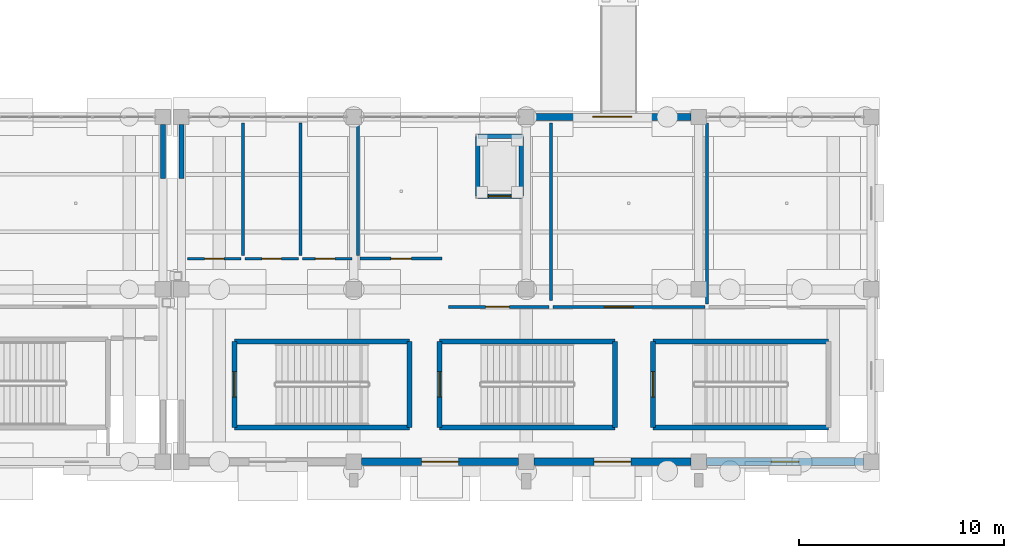
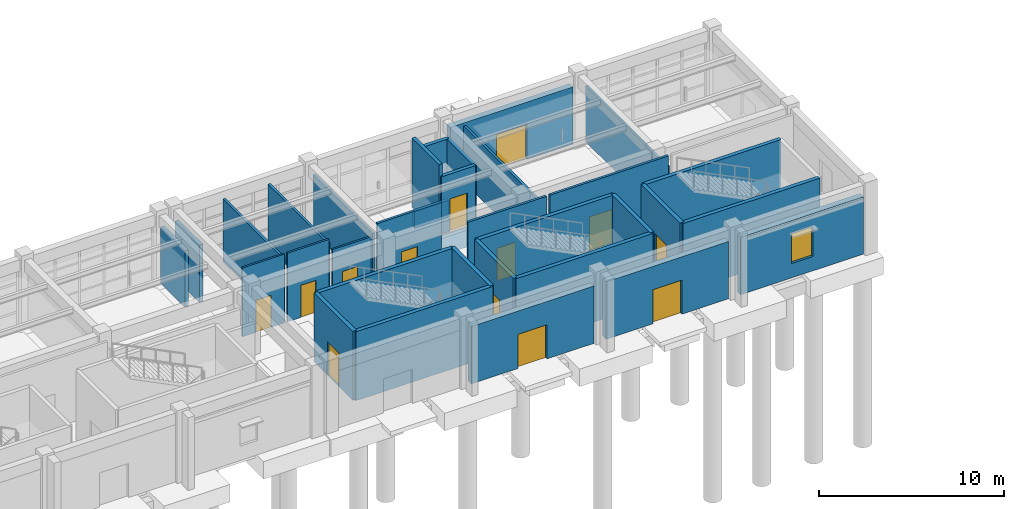
# One storey, part 18 of 29: 34 walls, 13 doors, 1 window, 14 openings.
"""IFC4 building model written with IfcOpenShell, lengths in metres."""

import ifcopenshell
import ifcopenshell.guid

model = None  # the IFC model being written
_history = None  # IfcOwnerHistory: only IFC2X3 demands one
_inside = {}  # id of a spatial element -> (the spatial element, [elements in it])
_under = {}  # id of a project, library or spatial element -> (it, [spatial elements below it])
_declared = {}  # id of a project -> (the project, [libraries it declares])
_typed = {}  # id of a type object -> (the type object, [elements of that type])
_made_of = {}  # id of a material, layer set ... -> (it, [elements and type objects made of it])


def new_model(schema):
    """Start an empty IFC model of exactly this schema.

    Asked for "IFC4X3", IfcOpenShell would pick the latest addendum, in which some entities
    have other attributes; the version numbers below select the first issue.
    IFC2X3 requires an IfcOwnerHistory on every rooted entity: one is made here for all.
    """
    global model, _history
    if schema == "IFC4X3":
        model = ifcopenshell.file(schema_version=(4, 3, 0, 0))
    else:
        model = ifcopenshell.file(schema=schema)
    _inside.clear()
    _under.clear()
    _declared.clear()
    _typed.clear()
    _made_of.clear()
    _history = None
    if model.schema == "IFC2X3":
        org = make("IfcOrganization", Name="unknown")
        user = make(
            "IfcPersonAndOrganization",
            ThePerson=make("IfcPerson", FamilyName="unknown"),
            TheOrganization=org,
        )
        app = make(
            "IfcApplication",
            ApplicationDeveloper=org,
            Version="unknown",
            ApplicationFullName="unknown",
            ApplicationIdentifier="unknown",
        )
        _history = make(
            "IfcOwnerHistory",
            OwningUser=user,
            OwningApplication=app,
            ChangeAction="ADDED",
            CreationDate=0,
        )
    return model


def make(cls, **values):
    """One entity of the class cls with the attributes given. An attribute that is None is left unset."""
    return model.create_entity(
        cls, **{name: value for name, value in values.items() if value is not None}
    )


def rooted(cls, **values):
    """An entity with a GlobalId (a new one), such as an element, a storey or a relation."""
    return make(cls, GlobalId=ifcopenshell.guid.new(), OwnerHistory=_history, **values)


def si_unit(unit_type, name, prefix=None):
    """IfcSIUnit, for example si_unit("LENGTHUNIT", "METRE", prefix="MILLI")."""
    return make("IfcSIUnit", UnitType=unit_type, Prefix=prefix, Name=name)


def assignment(units):
    """IfcUnitAssignment: the units of a project."""
    return None if units is None else make("IfcUnitAssignment", Units=units)


def point(xyz):
    """IfcCartesianPoint."""
    return None if xyz is None else make("IfcCartesianPoint", Coordinates=xyz)


def direction(xyz):
    """IfcDirection."""
    return None if xyz is None else make("IfcDirection", DirectionRatios=xyz)


def frame(location, z_axis=None, x_axis=None):
    """IfcAxis2Placement3D, a coordinate frame: its origin and axes. An axis left out is left unset."""
    return make(
        "IfcAxis2Placement3D",
        Location=point(location),
        Axis=direction(z_axis),
        RefDirection=direction(x_axis),
    )


def frame_2d(location, x_axis=None):
    """IfcAxis2Placement2D, a coordinate frame in the plane: its origin and x axis."""
    return make(
        "IfcAxis2Placement2D", Location=point(location), RefDirection=direction(x_axis)
    )


def origin():
    """The frame at (0, 0, 0) with its axes left unset."""
    return frame((0.0, 0.0, 0.0))


def place(relative_to, where):
    """IfcLocalPlacement: puts the frame where relative to a parent placement (None: the world)."""
    return make(
        "IfcLocalPlacement", PlacementRelTo=relative_to, RelativePlacement=where
    )


def context(
    kind, dimensions, precision=None, world=None, true_north=None, identifier=None
):
    """IfcGeometricRepresentationContext, for example the 3D "Model" context."""
    return make(
        "IfcGeometricRepresentationContext",
        ContextIdentifier=identifier,
        ContextType=kind,
        CoordinateSpaceDimension=dimensions,
        Precision=precision,
        WorldCoordinateSystem=world,
        TrueNorth=true_north,
    )


def subcontext(parent, identifier, kind, view, scale=None):
    """IfcGeometricRepresentationSubContext, for example "Body" below "Model"."""
    return make(
        "IfcGeometricRepresentationSubContext",
        ContextIdentifier=identifier,
        ContextType=kind,
        ParentContext=parent,
        TargetScale=scale,
        TargetView=view,
    )


def project(units=None, contexts=None):
    """IfcProject with its units and contexts."""
    return rooted(
        "IfcProject",
        Name="project",
        RepresentationContexts=contexts,
        UnitsInContext=assignment(units),
    )


def spatial(cls, under=None, at=None, **own):
    """A site, building, storey or space (cls), placed at a placement, below another one or the project."""
    s = rooted(cls, ObjectPlacement=at, **own)
    if under is not None:
        _under.setdefault(under.id(), (under, []))[1].append(s)
    return s


def profile(cls, at=None, kind="AREA", **sizes):
    """A parametric profile (cls). Its sizes go by their IFC names, for example OverallWidth=200.0."""
    return make(cls, ProfileType=kind, Position=at, **sizes)


def rectangle(**sizes):
    """IfcRectangleProfileDef."""
    return profile("IfcRectangleProfileDef", **sizes)


def extrude(swept, where, along, depth):
    """IfcExtrudedAreaSolid: the profile swept, set in the frame where, extruded along a direction by depth."""
    return make(
        "IfcExtrudedAreaSolid",
        SweptArea=swept,
        Position=where,
        ExtrudedDirection=direction(along),
        Depth=depth,
    )


def shape(context_of_items, identifier, shape_type, items):
    """IfcShapeRepresentation: the items that make up one representation, for example the "Body"."""
    return make(
        "IfcShapeRepresentation",
        ContextOfItems=context_of_items,
        RepresentationIdentifier=identifier,
        RepresentationType=shape_type,
        Items=items,
    )


def material(Name=None, Category=None):
    """IfcMaterial."""
    return make("IfcMaterial", Name=Name, Category=Category)


def layer(
    of_material, thickness, ventilated=None, Name=None, Category=None, Priority=None
):
    """IfcMaterialLayer: one layer of a wall or slab, of a material (None: an air gap)."""
    return make(
        "IfcMaterialLayer",
        Material=of_material,
        LayerThickness=thickness,
        IsVentilated=ventilated,
        Name=Name,
        Category=Category,
        Priority=Priority,
    )


def layer_set(layers, Name=None):
    """IfcMaterialLayerSet."""
    return make("IfcMaterialLayerSet", MaterialLayers=layers, LayerSetName=Name)


def made_of(thing, what):
    """Note that an element or type object is made of a material, layer set ...; save() writes the relation."""
    if what is not None:
        _made_of.setdefault(what.id(), (what, []))[1].append(thing)
    return thing


def type_object(cls, material=None, **own):
    """A type object (cls), such as IfcWallType, which elements share."""
    return made_of(rooted(cls, **own), material)


def element(
    cls,
    number,
    at=None,
    inside=None,
    cuts=None,
    type_object=None,
    material=None,
    context=None,
    identifier="Body",
    shape_type=None,
    held_by="IfcProductDefinitionShape",
    body=None,
    shapes=None,
    **own,
):
    """One element of the class cls, such as IfcWall. Its Tag is "e" and its number.

    at: its placement. inside: the storey or other place that contains it. cuts: it is an
    opening in that element (IfcRelVoidsElement). A single representation is given by context,
    identifier, shape_type and body (its items); several are given by shapes. held_by: the class
    of the entity that holds the representations. save() writes the other relations.
    """
    e = rooted(cls, Tag="e%d" % number, ObjectPlacement=at, **own)
    if body is not None:
        shapes = [shape(context, identifier, shape_type, body)]
    if shapes is not None:
        e.Representation = make(held_by, Representations=shapes)
    if inside is not None:
        _inside.setdefault(inside.id(), (inside, []))[1].append(e)
    if cuts is not None:
        rooted(
            "IfcRelVoidsElement", RelatingBuildingElement=cuts, RelatedOpeningElement=e
        )
    if type_object is not None:
        _typed.setdefault(type_object.id(), (type_object, []))[1].append(e)
    return made_of(e, material)


def fill(opening, filler):
    """IfcRelFillsElement: the door or window that sits in an opening."""
    return rooted(
        "IfcRelFillsElement",
        RelatingOpeningElement=opening,
        RelatedBuildingElement=filler,
    )


def aggregate(whole, parts):
    """IfcRelAggregates: a whole, such as a stair, and the parts it consists of."""
    return rooted("IfcRelAggregates", RelatingObject=whole, RelatedObjects=parts)


def save(model, path):
    """Write the relations noted so far, then the file.

    IfcRelAggregates (storeys below a building ...), IfcRelContainedInSpatialStructure (elements
    in a storey), IfcRelDefinesByType, IfcRelAssociatesMaterial and IfcRelDeclares: one each for
    every whole, place, type object, material and project.
    """
    for whole, parts in _under.values():
        aggregate(whole, parts)
    for where, things in _inside.values():
        rooted(
            "IfcRelContainedInSpatialStructure",
            RelatedElements=things,
            RelatingStructure=where,
        )
    for kind, things in _typed.values():
        rooted("IfcRelDefinesByType", RelatedObjects=things, RelatingType=kind)
    for what, things in _made_of.values():
        rooted("IfcRelAssociatesMaterial", RelatedObjects=things, RelatingMaterial=what)
    for by, libraries in _declared.values():
        rooted("IfcRelDeclares", RelatingContext=by, RelatedDefinitions=libraries)
    model.write(path)


model = new_model("IFC4")

# Units and contexts
model_context = context("Model", 3, precision=1e-05, world=origin(), true_north=direction((0.0, 1.0)))
body_context = subcontext(model_context, "Body", "Model", "MODEL_VIEW")
ifc_project = project(units=[si_unit("LENGTHUNIT", "METRE"), si_unit("AREAUNIT", "SQUARE_METRE"), si_unit("VOLUMEUNIT", "CUBIC_METRE"), si_unit("PLANEANGLEUNIT", "RADIAN"), si_unit("MASSUNIT", "GRAM", prefix="KILO")], contexts=[model_context])

# Site, building, storey
site_placement = place(None, origin())
site = spatial("IfcSite", under=ifc_project, at=site_placement, CompositionType="ELEMENT")
building_placement = place(site_placement, origin())
building = spatial("IfcBuilding", under=site, at=building_placement, Name="Canglan Escarpment Cableway Terminal", CompositionType="ELEMENT")
storey_placement = place(building_placement, origin())
storey = spatial("IfcBuildingStorey", under=building, at=storey_placement, Name="L00", CompositionType="ELEMENT", Elevation=0.0)

# Walls
ifc_material_1 = material(Name="Concrete C40", Category="concrete")
ifc_layer_1 = layer(ifc_material_1, 0.239990234375, Name="Concrete C40")
ifc_layer_set_1 = layer_set([ifc_layer_1], Name="Concrete C40")
wall_type_1 = type_object("IfcWallType", Name="WL-CORE-SHEAR-240", PredefinedType="SHEAR", material=ifc_layer_set_1)
wall_1_placement = place(storey_placement, frame((45.080078125, 9.679931640625, 0.0), z_axis=(0.0, 0.0, 1.0), x_axis=(1.0, 0.0, 0.0)))
element("IfcWall", 1, at=wall_1_placement, inside=storey, type_object=wall_type_1, Name="Protected stair core wall ST-03 (L00)", PredefinedType="SHEAR", context=body_context, shape_type="SweptSolid", body=[
    extrude(rectangle(XDim=8.5400390625, YDim=0.239990234375, at=frame_2d((4.27001953125, 0.0))), origin(), (0.0, 0.0, 1.0), 4.550048828125),
])
wall_2_placement = place(storey_placement, frame((53.6201171875, 9.679931640625, 0.0), z_axis=(0.0, 0.0, 1.0), x_axis=(0.0, 1.0, 0.0)))
element("IfcWall", 2, at=wall_2_placement, inside=storey, type_object=wall_type_1, Name="Protected stair core wall ST-03 (L00)", PredefinedType="SHEAR", context=body_context, shape_type="SweptSolid", body=[
    extrude(rectangle(XDim=4.190185546875, YDim=0.239990234375, at=frame_2d((2.09521484375, 0.0))), origin(), (0.0, 0.0, 1.0), 4.550048828125),
])
wall_3_placement = place(storey_placement, frame((53.6201171875, 13.8701171875, 0.0), z_axis=(0.0, 0.0, 1.0), x_axis=(-1.0, 0.0, 0.0)))
element("IfcWall", 3, at=wall_3_placement, inside=storey, type_object=wall_type_1, Name="Protected stair core wall ST-03 (L00)", PredefinedType="SHEAR", context=body_context, shape_type="SweptSolid", body=[
    extrude(rectangle(XDim=8.5400390625, YDim=0.239990234375, at=frame_2d((4.27001953125, 0.0))), origin(), (0.0, 0.0, 1.0), 4.550048828125),
])

# Wall, opening, door
wall_4_placement = place(storey_placement, frame((45.080078125, 13.8701171875, 0.0), z_axis=(0.0, 0.0, 1.0), x_axis=(0.0, -1.0, 0.0)))
wall_4 = element("IfcWall", 4, at=wall_4_placement, inside=storey, type_object=wall_type_1, Name="Protected stair core wall ST-03 (L00)", PredefinedType="SHEAR", context=body_context, shape_type="SweptSolid", body=[
    extrude(rectangle(XDim=4.190185546875, YDim=0.239990234375, at=frame_2d((2.09521484375, 0.0))), origin(), (0.0, 0.0, 1.0), 4.550048828125),
])
opening_1_placement = place(wall_4_placement, frame((1.469970703125, 0.0, 0.0)))
opening_1 = element("IfcOpeningElement", 5, at=opening_1_placement, cuts=wall_4, Name="Opening SD-D1", PredefinedType="OPENING", context=body_context, shape_type="SweptSolid", body=[
    extrude(rectangle(XDim=1.25, YDim=2.199951171875, at=frame_2d((0.625, 1.10009765625))), frame((0.0, 0.1298828125, 0.0), z_axis=(0.0, -1.0, 0.0), x_axis=(1.0, 0.0, 0.0)), (0.0, 0.0, 1.0), 0.260009765625),
])
ifc_material_2 = material(Name="Steel fire-resisting stair door", Category="steel")
door_type_1 = type_object("IfcDoorType", Name="DR-STAIR-EI90-1250", OperationType="NOTDEFINED", PredefinedType="DOOR", material=ifc_material_2)
door_1_placement = place(opening_1_placement, origin())
door_1 = element("IfcDoor", 6, at=door_1_placement, inside=storey, type_object=door_type_1, Name="Protected exit stair fire door ST-03 (L00)", OperationType="SINGLE_SWING_RIGHT", OverallHeight=2.199951171875, OverallWidth=1.25, PredefinedType="DOOR", context=body_context, shape_type="SweptSolid", body=[
    extrude(rectangle(XDim=1.25, YDim=2.199951171875, at=frame_2d((0.625, 1.10009765625))), frame((0.0, 0.02490234375, 0.0), z_axis=(0.0, -1.0, 0.0), x_axis=(1.0, 0.0, 0.0)), (0.0, 0.0, 1.0), 0.050048828125),
])
fill(opening_1, door_1)

# Walls
wall_5_placement = place(storey_placement, frame((55.080078125, 9.679931640625, 0.0), z_axis=(0.0, 0.0, 1.0), x_axis=(1.0, 0.0, 0.0)))
element("IfcWall", 7, at=wall_5_placement, inside=storey, type_object=wall_type_1, Name="Protected stair core wall ST-04 (L00)", PredefinedType="SHEAR", context=body_context, shape_type="SweptSolid", body=[
    extrude(rectangle(XDim=8.5400390625, YDim=0.239990234375, at=frame_2d((4.27001953125, 0.0))), origin(), (0.0, 0.0, 1.0), 4.550048828125),
])
wall_6_placement = place(storey_placement, frame((63.6201171875, 9.679931640625, 0.0), z_axis=(0.0, 0.0, 1.0), x_axis=(0.0, 1.0, 0.0)))
element("IfcWall", 8, at=wall_6_placement, inside=storey, type_object=wall_type_1, Name="Protected stair core wall ST-04 (L00)", PredefinedType="SHEAR", context=body_context, shape_type="SweptSolid", body=[
    extrude(rectangle(XDim=4.190185546875, YDim=0.239990234375, at=frame_2d((2.09521484375, 0.0))), origin(), (0.0, 0.0, 1.0), 4.550048828125),
])
wall_7_placement = place(storey_placement, frame((63.6201171875, 13.8701171875, 0.0), z_axis=(0.0, 0.0, 1.0), x_axis=(-1.0, 0.0, 0.0)))
element("IfcWall", 9, at=wall_7_placement, inside=storey, type_object=wall_type_1, Name="Protected stair core wall ST-04 (L00)", PredefinedType="SHEAR", context=body_context, shape_type="SweptSolid", body=[
    extrude(rectangle(XDim=8.5400390625, YDim=0.239990234375, at=frame_2d((4.27001953125, 0.0))), origin(), (0.0, 0.0, 1.0), 4.550048828125),
])

# Wall, opening, door
wall_8_placement = place(storey_placement, frame((55.080078125, 13.8701171875, 0.0), z_axis=(0.0, 0.0, 1.0), x_axis=(0.0, -1.0, 0.0)))
wall_8 = element("IfcWall", 10, at=wall_8_placement, inside=storey, type_object=wall_type_1, Name="Protected stair core wall ST-04 (L00)", PredefinedType="SHEAR", context=body_context, shape_type="SweptSolid", body=[
    extrude(rectangle(XDim=4.190185546875, YDim=0.239990234375, at=frame_2d((2.09521484375, 0.0))), origin(), (0.0, 0.0, 1.0), 4.550048828125),
])
opening_2_placement = place(wall_8_placement, frame((1.469970703125, 0.0, 0.0)))
opening_2 = element("IfcOpeningElement", 11, at=opening_2_placement, cuts=wall_8, Name="Opening SD-D1", PredefinedType="OPENING", context=body_context, shape_type="SweptSolid", body=[
    extrude(rectangle(XDim=1.25, YDim=2.199951171875, at=frame_2d((0.625, 1.10009765625))), frame((0.0, 0.1298828125, 0.0), z_axis=(0.0, -1.0, 0.0), x_axis=(1.0, 0.0, 0.0)), (0.0, 0.0, 1.0), 0.260009765625),
])
door_2_placement = place(opening_2_placement, origin())
door_2 = element("IfcDoor", 12, at=door_2_placement, inside=storey, type_object=door_type_1, Name="Protected exit stair fire door ST-04 (L00)", OperationType="SINGLE_SWING_RIGHT", OverallHeight=2.199951171875, OverallWidth=1.25, PredefinedType="DOOR", context=body_context, shape_type="SweptSolid", body=[
    extrude(rectangle(XDim=1.25, YDim=2.199951171875, at=frame_2d((0.625, 1.10009765625))), frame((0.0, 0.02490234375, 0.0), z_axis=(0.0, -1.0, 0.0), x_axis=(1.0, 0.0, 0.0)), (0.0, 0.0, 1.0), 0.050048828125),
])
fill(opening_2, door_2)

# Walls
for number, where, z_axis, x_axis, name in (
    (13, (65.47998046875, 9.679931640625, 0.0), (0.0, 0.0, 1.0), (1.0, 0.0, 0.0), "Protected stair core wall ST-05 (L00)"),
    (14, (74.02001953125, 13.8701171875, 0.0), (0.0, 0.0, 1.0), (-1.0, 0.0, 0.0), "Protected stair core wall ST-05 (L00)"),
):
    element("IfcWall", number, at=place(storey_placement, frame(where, z_axis=z_axis, x_axis=x_axis)), inside=storey, type_object=wall_type_1, Name=name, PredefinedType="SHEAR", context=body_context, shape_type="SweptSolid", body=[
        extrude(rectangle(XDim=8.5400390625, YDim=0.239990234375, at=frame_2d((4.27001953125, 0.0))), origin(), (0.0, 0.0, 1.0), 4.550048828125),
    ])

# Wall, opening, door
wall_9_placement = place(storey_placement, frame((65.47998046875, 13.8701171875, 0.0), z_axis=(0.0, 0.0, 1.0), x_axis=(0.0, -1.0, 0.0)))
wall_9 = element("IfcWall", 15, at=wall_9_placement, inside=storey, type_object=wall_type_1, Name="Protected stair core wall ST-05 (L00)", PredefinedType="SHEAR", context=body_context, shape_type="SweptSolid", body=[
    extrude(rectangle(XDim=4.190185546875, YDim=0.239990234375, at=frame_2d((2.09521484375, 0.0))), origin(), (0.0, 0.0, 1.0), 4.550048828125),
])
opening_3_placement = place(wall_9_placement, frame((1.469970703125, 0.0, 0.0)))
opening_3 = element("IfcOpeningElement", 16, at=opening_3_placement, cuts=wall_9, Name="Opening SD-D1", PredefinedType="OPENING", context=body_context, shape_type="SweptSolid", body=[
    extrude(rectangle(XDim=1.25, YDim=2.199951171875, at=frame_2d((0.625, 1.10009765625))), frame((0.0, 0.1298828125, 0.0), z_axis=(0.0, -1.0, 0.0), x_axis=(1.0, 0.0, 0.0)), (0.0, 0.0, 1.0), 0.260009765625),
])
door_3_placement = place(opening_3_placement, origin())
door_3 = element("IfcDoor", 17, at=door_3_placement, inside=storey, type_object=door_type_1, Name="Protected exit stair fire door ST-05 (L00)", OperationType="SINGLE_SWING_LEFT", OverallHeight=2.199951171875, OverallWidth=1.25, PredefinedType="DOOR", context=body_context, shape_type="SweptSolid", body=[
    extrude(rectangle(XDim=1.25, YDim=2.199951171875, at=frame_2d((0.625, 1.10009765625))), frame((0.0, 0.02490234375, 0.0), z_axis=(0.0, -1.0, 0.0), x_axis=(1.0, 0.0, 0.0)), (0.0, 0.0, 1.0), 0.050048828125),
])
fill(opening_3, door_3)

# Walls
ifc_material_3 = material(Name="Insulated stone-faced spandrel wall", Category="masonry")
ifc_layer_2 = layer(ifc_material_3, 0.22998046875, Name="Insulated stone-faced spandrel wall")
ifc_layer_set_2 = layer_set([ifc_layer_2], Name="Insulated stone-faced spandrel wall")
wall_type_2 = type_object("IfcWallType", Name="WL-EXT-LINK-230", PredefinedType="STANDARD", material=ifc_layer_set_2)
wall_10_placement = place(storey_placement, frame((41.60009765625, 21.800048828125, 0.0), z_axis=(0.0, 0.0, 1.0), x_axis=(0.0, 1.0, 0.0)))
element("IfcWall", 18, at=wall_10_placement, inside=storey, type_object=wall_type_2, Name="Classical stone-faced exterior wall EW-FB1-L00-E-02-FL2", PredefinedType="STANDARD", context=body_context, shape_type="SweptSolid", body=[
    extrude(rectangle(XDim=2.625, YDim=0.22998046875, at=frame_2d((1.3125, 0.0))), origin(), (0.0, 0.0, 1.0), 3.715087890625),
])
wall_11_placement = place(storey_placement, frame((42.5, 21.800048828125, 0.0), z_axis=(0.0, 0.0, 1.0), x_axis=(0.0, 1.0, 0.0)))
element("IfcWall", 19, at=wall_11_placement, inside=storey, type_object=wall_type_2, Name="Classical stone-faced exterior wall EW-FB2-L00-W-02-FL2", PredefinedType="STANDARD", context=body_context, shape_type="SweptSolid", body=[
    extrude(rectangle(XDim=2.625, YDim=0.22998046875, at=frame_2d((1.3125, 0.0))), origin(), (0.0, 0.0, 1.0), 3.784912109375),
])

# Wall, opening, door
ifc_material_4 = material(Name="Rusticated limestone masonry on Concrete C40", Category="masonry")
ifc_layer_3 = layer(ifc_material_4, 0.360107421875, Name="Rusticated limestone masonry on Concrete C40")
ifc_layer_set_3 = layer_set([ifc_layer_3], Name="Rusticated limestone masonry on Concrete C40")
wall_type_3 = type_object("IfcWallType", Name="WL-EXT-RUST-360", PredefinedType="STANDARD", material=ifc_layer_set_3)
wall_12_placement = place(storey_placement, frame((58.925048828125, 8.0, 0.0), z_axis=(0.0, 0.0, 1.0), x_axis=(-1.0, 0.0, 0.0)))
wall_12 = element("IfcWall", 20, at=wall_12_placement, inside=storey, type_object=wall_type_3, Name="Classical stone-faced exterior wall EW-FB2-L00-S-02", PredefinedType="STANDARD", context=body_context, shape_type="SweptSolid", body=[
    extrude(rectangle(XDim=7.650146484375, YDim=0.360107421875, at=frame_2d((3.8251953125, 0.0))), origin(), (0.0, 0.0, 1.0), 3.784912109375),
])
opening_4_placement = place(wall_12_placement, frame((2.925048828125, 0.0, 0.0)))
opening_4 = element("IfcOpeningElement", 21, at=opening_4_placement, cuts=wall_12, Name="Opening ED-02", PredefinedType="OPENING", context=body_context, shape_type="SweptSolid", body=[
    extrude(rectangle(XDim=1.800048828125, YDim=2.25, at=frame_2d((0.89990234375, 1.125))), frame((0.0, 0.18994140625, 0.0), z_axis=(0.0, -1.0, 0.0), x_axis=(1.0, 0.0, 0.0)), (0.0, 0.0, 1.0), 0.380126953125),
])
ifc_material_5 = material(Name="Anodized bronze aluminium and tempered safety glass", Category="aluminium")
door_type_2 = type_object("IfcDoorType", Name="DR-EXT-EXIT-1800", OperationType="NOTDEFINED", PredefinedType="DOOR", material=ifc_material_5)
door_4_placement = place(opening_4_placement, origin())
door_4 = element("IfcDoor", 22, at=door_4_placement, inside=storey, type_object=door_type_2, Name="Protected exit passage final exit door ED-02", OperationType="DOUBLE_DOOR_SINGLE_SWING", OverallHeight=2.25, OverallWidth=1.800048828125, PredefinedType="DOOR", context=body_context, shape_type="SweptSolid", body=[
    extrude(rectangle(XDim=1.800048828125, YDim=2.25, at=frame_2d((0.89990234375, 1.125))), frame((0.0, 0.02490234375, 0.0), z_axis=(0.0, -1.0, 0.0), x_axis=(1.0, 0.0, 0.0)), (0.0, 0.0, 1.0), 0.050048828125),
])
fill(opening_4, door_4)

wall_13_placement = place(storey_placement, frame((67.324951171875, 8.0, 0.0), z_axis=(0.0, 0.0, 1.0), x_axis=(-1.0, 0.0, 0.0)))
wall_13 = element("IfcWall", 23, at=wall_13_placement, inside=storey, type_object=wall_type_3, Name="Classical stone-faced exterior wall EW-FB2-L00-S-03", PredefinedType="STANDARD", context=body_context, shape_type="SweptSolid", body=[
    extrude(rectangle(XDim=7.64990234375, YDim=0.360107421875, at=frame_2d((3.824951171875, 0.0))), origin(), (0.0, 0.0, 1.0), 3.784912109375),
])
opening_5_placement = place(wall_13_placement, frame((2.925048828125, 0.0, 0.0)))
opening_5 = element("IfcOpeningElement", 24, at=opening_5_placement, cuts=wall_13, Name="Opening ED-02", PredefinedType="OPENING", context=body_context, shape_type="SweptSolid", body=[
    extrude(rectangle(XDim=1.800048828125, YDim=2.25, at=frame_2d((0.89990234375, 1.125))), frame((0.0, 0.18994140625, 0.0), z_axis=(0.0, -1.0, 0.0), x_axis=(1.0, 0.0, 0.0)), (0.0, 0.0, 1.0), 0.380126953125),
])
door_5_placement = place(opening_5_placement, origin())
door_5 = element("IfcDoor", 25, at=door_5_placement, inside=storey, type_object=door_type_2, Name="Protected exit passage final exit door ED-02", OperationType="DOUBLE_DOOR_SINGLE_SWING", OverallHeight=2.25, OverallWidth=1.800048828125, PredefinedType="DOOR", context=body_context, shape_type="SweptSolid", body=[
    extrude(rectangle(XDim=1.800048828125, YDim=2.25, at=frame_2d((0.89990234375, 1.125))), frame((0.0, 0.02490234375, 0.0), z_axis=(0.0, -1.0, 0.0), x_axis=(1.0, 0.0, 0.0)), (0.0, 0.0, 1.0), 0.050048828125),
])
fill(opening_5, door_5)

# Wall, opening, window
wall_14_placement = place(storey_placement, frame((68.074951171875, 8.0, 0.0), z_axis=(0.0, 0.0, 1.0), x_axis=(1.0, 0.0, 0.0)))
wall_14 = element("IfcWall", 26, at=wall_14_placement, inside=storey, type_object=wall_type_3, Name="Classical stone-faced exterior wall EW-FB2-L00-S-04", PredefinedType="STANDARD", context=body_context, shape_type="SweptSolid", body=[
    extrude(rectangle(XDim=7.650146484375, YDim=0.360107421875, at=frame_2d((3.8251953125, 0.0))), origin(), (0.0, 0.0, 1.0), 3.784912109375),
])
opening_6_placement = place(wall_14_placement, frame((3.14990234375, 0.0, 0.949951171875)))
opening_6 = element("IfcOpeningElement", 27, at=opening_6_placement, cuts=wall_14, Name="Opening W-07", PredefinedType="OPENING", context=body_context, shape_type="SweptSolid", body=[
    extrude(rectangle(XDim=1.35009765625, YDim=1.949951171875, at=frame_2d((0.675048828125, 0.97509765625))), frame((0.0, 0.18994140625, 0.0), z_axis=(0.0, -1.0, 0.0), x_axis=(1.0, 0.0, 0.0)), (0.0, 0.0, 1.0), 0.380126953125),
])
ifc_material_6 = material(Name="Anodized bronze aluminium and Low-E double glazing", Category="aluminium")
window_type = type_object("IfcWindowType", Name="WIN-EXT-07", PartitioningType="SINGLE_PANEL", PredefinedType="WINDOW", material=ifc_material_6)
window_placement = place(opening_6_placement, origin())
window = element("IfcWindow", 28, at=window_placement, inside=storey, type_object=window_type, Name="Classical module window W-07", OverallHeight=1.949951171875, OverallWidth=1.35009765625, PartitioningType="SINGLE_PANEL", PredefinedType="WINDOW", context=body_context, shape_type="SweptSolid", body=[
    extrude(rectangle(XDim=1.35009765625, YDim=1.949951171875, at=frame_2d((0.675048828125, 0.97509765625))), frame((0.0, 0.030029296875, 0.0), z_axis=(0.0, -1.0, 0.0), x_axis=(1.0, 0.0, 0.0)), (0.0, 0.0, 1.0), 0.06005859375),
])
fill(opening_6, window)

# Wall, opening, door
wall_15_placement = place(storey_placement, frame((67.324951171875, 24.800048828125, 0.0), z_axis=(0.0, 0.0, 1.0), x_axis=(-1.0, 0.0, 0.0)))
wall_15 = element("IfcWall", 29, at=wall_15_placement, inside=storey, type_object=wall_type_3, Name="Classical stone-faced exterior wall EW-FB2-L00-N-03", PredefinedType="STANDARD", context=body_context, shape_type="SweptSolid", body=[
    extrude(rectangle(XDim=7.64990234375, YDim=0.360107421875, at=frame_2d((3.824951171875, 0.0))), origin(), (0.0, 0.0, 1.0), 3.784912109375),
])
opening_7_placement = place(wall_15_placement, frame((2.875, 0.0, 0.0)))
opening_7 = element("IfcOpeningElement", 30, at=opening_7_placement, cuts=wall_15, Name="Opening ED-06", PredefinedType="OPENING", context=body_context, shape_type="SweptSolid", body=[
    extrude(rectangle(XDim=1.89990234375, YDim=2.300048828125, at=frame_2d((0.949951171875, 1.14990234375))), frame((0.0, 0.18994140625, 0.0), z_axis=(0.0, -1.0, 0.0), x_axis=(1.0, 0.0, 0.0)), (0.0, 0.0, 1.0), 0.380126953125),
])
door_type_3 = type_object("IfcDoorType", Name="DR-EXT-RAMP-1900", OperationType="NOTDEFINED", PredefinedType="DOOR", material=ifc_material_5)
door_6_placement = place(opening_7_placement, origin())
door_6 = element("IfcDoor", 31, at=door_6_placement, inside=storey, type_object=door_type_3, Name="Arrival Concourse north forecourt ramp entrance door ED-06", OperationType="DOUBLE_DOOR_SINGLE_SWING", OverallHeight=2.300048828125, OverallWidth=1.89990234375, PredefinedType="DOOR", context=body_context, shape_type="SweptSolid", body=[
    extrude(rectangle(XDim=1.89990234375, YDim=2.300048828125, at=frame_2d((0.949951171875, 1.14990234375))), frame((0.0, 0.02490234375, 0.0), z_axis=(0.0, -1.0, 0.0), x_axis=(1.0, 0.0, 0.0)), (0.0, 0.0, 1.0), 0.050048828125),
])
fill(opening_7, door_6)

ifc_material_7 = material(Name="Moisture-resistant tile-faced partition", Category="gypsum")
ifc_layer_4 = layer(ifc_material_7, 0.1201171875, Name="Moisture-resistant tile-faced partition")
ifc_layer_set_4 = layer_set([ifc_layer_4], Name="Moisture-resistant tile-faced partition")
wall_type_4 = type_object("IfcWallType", Name="WL-INT-PART-120", PredefinedType="PARTITIONING", material=ifc_layer_set_4)
wall_16_placement = place(storey_placement, frame((42.800048828125, 17.89990234375, 0.0), z_axis=(0.0, 0.0, 1.0), x_axis=(1.0, 0.0, 0.0)))
wall_16 = element("IfcWall", 32, at=wall_16_placement, inside=storey, type_object=wall_type_4, Name="Interior partition wall IW-L00-08-MAIN", PredefinedType="PARTITIONING", context=body_context, shape_type="SweptSolid", body=[
    extrude(rectangle(XDim=2.599853515625, YDim=0.1201171875, at=frame_2d((1.2998046875, 0.0))), origin(), (0.0, 0.0, 1.0), 4.534912109375),
])
opening_8_placement = place(wall_16_placement, frame((0.824951171875, 0.0, 0.0)))
opening_8 = element("IfcOpeningElement", 33, at=opening_8_placement, cuts=wall_16, Name="Opening ID-01", PredefinedType="OPENING", context=body_context, shape_type="SweptSolid", body=[
    extrude(rectangle(XDim=0.949951171875, YDim=2.1201171875, at=frame_2d((0.47509765625, 1.06005859375))), frame((0.0, 0.070068359375, 0.0), z_axis=(0.0, -1.0, 0.0), x_axis=(1.0, 0.0, 0.0)), (0.0, 0.0, 1.0), 0.14013671875),
])
ifc_material_8 = material(Name="Stained oak and safety glass door", Category="glass")
door_type_4 = type_object("IfcDoorType", Name="DR-INT-ID-01", OperationType="NOTDEFINED", PredefinedType="DOOR", material=ifc_material_8)
door_7_placement = place(opening_8_placement, origin())
door_7 = element("IfcDoor", 34, at=door_7_placement, inside=storey, type_object=door_type_4, Name="Accessible WC door ID-01", OperationType="SINGLE_SWING_LEFT", OverallHeight=2.1201171875, OverallWidth=0.949951171875, PredefinedType="DOOR", context=body_context, shape_type="SweptSolid", body=[
    extrude(rectangle(XDim=0.949951171875, YDim=2.1201171875, at=frame_2d((0.47509765625, 1.06005859375))), frame((0.0, 0.02490234375, 0.0), z_axis=(0.0, -1.0, 0.0), x_axis=(1.0, 0.0, 0.0)), (0.0, 0.0, 1.0), 0.050048828125),
])
fill(opening_8, door_7)

wall_17_placement = place(storey_placement, frame((45.60009765625, 17.89990234375, 0.0), z_axis=(0.0, 0.0, 1.0), x_axis=(1.0, 0.0, 0.0)))
wall_17 = element("IfcWall", 35, at=wall_17_placement, inside=storey, type_object=wall_type_4, Name="Interior partition wall IW-L00-09-MAIN", PredefinedType="PARTITIONING", context=body_context, shape_type="SweptSolid", body=[
    extrude(rectangle(XDim=2.599853515625, YDim=0.1201171875, at=frame_2d((1.2998046875, 0.0))), origin(), (0.0, 0.0, 1.0), 4.534912109375),
])
opening_9_placement = place(wall_17_placement, frame((0.824951171875, 0.0, 0.0)))
opening_9 = element("IfcOpeningElement", 36, at=opening_9_placement, cuts=wall_17, Name="Opening ID-01", PredefinedType="OPENING", context=body_context, shape_type="SweptSolid", body=[
    extrude(rectangle(XDim=0.949951171875, YDim=2.1201171875, at=frame_2d((0.47509765625, 1.06005859375))), frame((0.0, 0.070068359375, 0.0), z_axis=(0.0, -1.0, 0.0), x_axis=(1.0, 0.0, 0.0)), (0.0, 0.0, 1.0), 0.14013671875),
])
door_8_placement = place(opening_9_placement, origin())
door_8 = element("IfcDoor", 37, at=door_8_placement, inside=storey, type_object=door_type_4, Name="Male WC door ID-01", OperationType="SINGLE_SWING_RIGHT", OverallHeight=2.1201171875, OverallWidth=0.949951171875, PredefinedType="DOOR", context=body_context, shape_type="SweptSolid", body=[
    extrude(rectangle(XDim=0.949951171875, YDim=2.1201171875, at=frame_2d((0.47509765625, 1.06005859375))), frame((0.0, 0.02490234375, 0.0), z_axis=(0.0, -1.0, 0.0), x_axis=(1.0, 0.0, 0.0)), (0.0, 0.0, 1.0), 0.050048828125),
])
fill(opening_9, door_8)

wall_18_placement = place(storey_placement, frame((48.39990234375, 17.89990234375, 0.0), z_axis=(0.0, 0.0, 1.0), x_axis=(1.0, 0.0, 0.0)))
wall_18 = element("IfcWall", 38, at=wall_18_placement, inside=storey, type_object=wall_type_4, Name="Interior partition wall IW-L00-10-MAIN", PredefinedType="PARTITIONING", context=body_context, shape_type="SweptSolid", body=[
    extrude(rectangle(XDim=2.400146484375, YDim=0.1201171875, at=frame_2d((1.2001953125, 0.0))), origin(), (0.0, 0.0, 1.0), 3.784912109375),
])
opening_10_placement = place(wall_18_placement, frame((0.625, 0.0, 0.0)))
opening_10 = element("IfcOpeningElement", 39, at=opening_10_placement, cuts=wall_18, Name="Opening ID-01", PredefinedType="OPENING", context=body_context, shape_type="SweptSolid", body=[
    extrude(rectangle(XDim=0.949951171875, YDim=2.1201171875, at=frame_2d((0.47509765625, 1.06005859375))), frame((0.0, 0.070068359375, 0.0), z_axis=(0.0, -1.0, 0.0), x_axis=(1.0, 0.0, 0.0)), (0.0, 0.0, 1.0), 0.14013671875),
])
door_9_placement = place(opening_10_placement, origin())
door_9 = element("IfcDoor", 40, at=door_9_placement, inside=storey, type_object=door_type_4, Name="Female WC door ID-01", OperationType="SINGLE_SWING_LEFT", OverallHeight=2.1201171875, OverallWidth=0.949951171875, PredefinedType="DOOR", context=body_context, shape_type="SweptSolid", body=[
    extrude(rectangle(XDim=0.949951171875, YDim=2.1201171875, at=frame_2d((0.47509765625, 1.06005859375))), frame((0.0, 0.02490234375, 0.0), z_axis=(0.0, -1.0, 0.0), x_axis=(1.0, 0.0, 0.0)), (0.0, 0.0, 1.0), 0.050048828125),
])
fill(opening_10, door_9)

# Walls
ifc_material_9 = material(Name="Acoustic double-stud gypsum partition", Category="gypsum")
ifc_layer_5 = layer(ifc_material_9, 0.14990234375, Name="Acoustic double-stud gypsum partition")
ifc_layer_set_5 = layer_set([ifc_layer_5], Name="Acoustic double-stud gypsum partition")
wall_type_5 = type_object("IfcWallType", Name="WL-INT-PART-150", PredefinedType="PARTITIONING", material=ifc_layer_set_5)
for number, where, z_axis, x_axis, name in (
    (41, (45.5, 18.050048828125, 0.0), (0.0, 0.0, 1.0), (0.0, 1.0, 0.0), "Interior partition wall IW-L00-09-SIDE"),
    (42, (48.300048828125, 18.050048828125, 0.0), (0.0, 0.0, 1.0), (0.0, 1.0, 0.0), "Interior partition wall IW-L00-10-SIDE"),
):
    element("IfcWall", number, at=place(storey_placement, frame(where, z_axis=z_axis, x_axis=x_axis)), inside=storey, type_object=wall_type_5, Name=name, PredefinedType="PARTITIONING", context=body_context, shape_type="SweptSolid", body=[
        extrude(rectangle(XDim=6.449951171875, YDim=0.14990234375, at=frame_2d((3.22509765625, 0.0))), origin(), (0.0, 0.0, 1.0), 4.135009765625),
    ])

# Wall, opening, door
wall_19_placement = place(storey_placement, frame((51.199951171875, 17.89990234375, 0.0), z_axis=(0.0, 0.0, 1.0), x_axis=(1.0, 0.0, 0.0)))
wall_19 = element("IfcWall", 43, at=wall_19_placement, inside=storey, type_object=wall_type_5, Name="Interior partition wall IW-L00-11-MAIN", PredefinedType="PARTITIONING", context=body_context, shape_type="SweptSolid", body=[
    extrude(rectangle(XDim=4.0, YDim=0.14990234375, at=frame_2d((2.0, 0.0))), origin(), (0.0, 0.0, 1.0), 4.534912109375),
])
opening_11_placement = place(wall_19_placement, frame((1.5, 0.0, 0.0)))
opening_11 = element("IfcOpeningElement", 44, at=opening_11_placement, cuts=wall_19, Name="Opening ID-02", PredefinedType="OPENING", context=body_context, shape_type="SweptSolid", body=[
    extrude(rectangle(XDim=1.0, YDim=2.139892578125, at=frame_2d((0.5, 1.06982421875))), frame((0.0, 0.0849609375, 0.0), z_axis=(0.0, -1.0, 0.0), x_axis=(1.0, 0.0, 0.0)), (0.0, 0.0, 1.0), 0.169921875),
])
door_type_5 = type_object("IfcDoorType", Name="DR-INT-ID-02", OperationType="NOTDEFINED", PredefinedType="DOOR", material=ifc_material_8)
door_10_placement = place(opening_11_placement, origin())
door_10 = element("IfcDoor", 45, at=door_10_placement, inside=storey, type_object=door_type_5, Name="Maternal Care Room door ID-02", OperationType="SINGLE_SWING_RIGHT", OverallHeight=2.139892578125, OverallWidth=1.0, PredefinedType="DOOR", context=body_context, shape_type="SweptSolid", body=[
    extrude(rectangle(XDim=1.0, YDim=2.139892578125, at=frame_2d((0.5, 1.06982421875))), frame((0.0, 0.02490234375, 0.0), z_axis=(0.0, -1.0, 0.0), x_axis=(1.0, 0.0, 0.0)), (0.0, 0.0, 1.0), 0.050048828125),
])
fill(opening_11, door_10)

# Wall
wall_20_placement = place(storey_placement, frame((51.10009765625, 18.050048828125, 0.0), z_axis=(0.0, 0.0, 1.0), x_axis=(0.0, 1.0, 0.0)))
element("IfcWall", 46, at=wall_20_placement, inside=storey, type_object=wall_type_5, Name="Interior partition wall IW-L00-11-SIDE", PredefinedType="PARTITIONING", context=body_context, shape_type="SweptSolid", body=[
    extrude(rectangle(XDim=6.449951171875, YDim=0.14990234375, at=frame_2d((3.22509765625, 0.0))), origin(), (0.0, 0.0, 1.0), 3.784912109375),
])

# Wall, opening, door
wall_21_placement = place(storey_placement, frame((60.60009765625, 15.550048828125, 0.0), z_axis=(0.0, 0.0, 1.0), x_axis=(1.0, 0.0, 0.0)))
wall_21 = element("IfcWall", 47, at=wall_21_placement, inside=storey, type_object=wall_type_5, Name="Interior partition wall IW-L00-12-MAIN", PredefinedType="PARTITIONING", context=body_context, shape_type="SweptSolid", body=[
    extrude(rectangle(XDim=7.39990234375, YDim=0.14990234375, at=frame_2d((3.699951171875, 0.0))), origin(), (0.0, 0.0, 1.0), 4.534912109375),
])
opening_12_placement = place(wall_21_placement, frame((2.5, 0.0, 0.0)))
opening_12 = element("IfcOpeningElement", 48, at=opening_12_placement, cuts=wall_21, Name="Opening ID-16", PredefinedType="OPENING", context=body_context, shape_type="SweptSolid", body=[
    extrude(rectangle(XDim=1.39990234375, YDim=2.199951171875, at=frame_2d((0.699951171875, 1.10009765625))), frame((0.0, 0.0849609375, 0.0), z_axis=(0.0, -1.0, 0.0), x_axis=(1.0, 0.0, 0.0)), (0.0, 0.0, 1.0), 0.169921875),
])
door_type_6 = type_object("IfcDoorType", Name="DR-INT-ID-16", OperationType="NOTDEFINED", PredefinedType="DOOR", material=ifc_material_8)
door_11_placement = place(opening_12_placement, origin())
door_11 = element("IfcDoor", 49, at=door_11_placement, inside=storey, type_object=door_type_6, Name="Retail Bookshop door ID-16", OperationType="SINGLE_SWING_LEFT", OverallHeight=2.199951171875, OverallWidth=1.39990234375, PredefinedType="DOOR", context=body_context, shape_type="SweptSolid", body=[
    extrude(rectangle(XDim=1.39990234375, YDim=2.199951171875, at=frame_2d((0.699951171875, 1.10009765625))), frame((0.0, 0.02490234375, 0.0), z_axis=(0.0, -1.0, 0.0), x_axis=(1.0, 0.0, 0.0)), (0.0, 0.0, 1.0), 0.050048828125),
])
fill(opening_12, door_11)

# Walls
wall_22_placement = place(storey_placement, frame((60.5, 15.85009765625, 0.0), z_axis=(0.0, 0.0, 1.0), x_axis=(0.0, 1.0, 0.0)))
element("IfcWall", 50, at=wall_22_placement, inside=storey, type_object=wall_type_5, Name="Interior partition wall IW-L00-12-SIDE", PredefinedType="PARTITIONING", context=body_context, shape_type="SweptSolid", body=[
    extrude(rectangle(XDim=8.64990234375, YDim=0.14990234375, at=frame_2d((4.324951171875, 0.0))), origin(), (0.0, 0.0, 1.0), 3.68505859375),
])
wall_23_placement = place(storey_placement, frame((68.10009765625, 15.699951171875, 0.0), z_axis=(0.0, 0.0, 1.0), x_axis=(0.0, 1.0, 0.0)))
element("IfcWall", 51, at=wall_23_placement, inside=storey, type_object=wall_type_5, Name="Interior partition wall IW-L00-13-SIDE", PredefinedType="PARTITIONING", context=body_context, shape_type="SweptSolid", body=[
    extrude(rectangle(XDim=8.800048828125, YDim=0.14990234375, at=frame_2d((4.39990234375, 0.0))), origin(), (0.0, 0.0, 1.0), 3.68505859375),
])

# Wall, opening, door
wall_24_placement = place(storey_placement, frame((55.5, 15.550048828125, 0.0), z_axis=(0.0, 0.0, 1.0), x_axis=(1.0, 0.0, 0.0)))
wall_24 = element("IfcWall", 52, at=wall_24_placement, inside=storey, type_object=wall_type_5, Name="Interior partition wall IW-L00-14-MAIN", PredefinedType="PARTITIONING", context=body_context, shape_type="SweptSolid", body=[
    extrude(rectangle(XDim=4.89990234375, YDim=0.14990234375, at=frame_2d((2.449951171875, 0.0))), origin(), (0.0, 0.0, 1.0), 4.534912109375),
])
opening_13_placement = place(wall_24_placement, frame((1.824951171875, 0.0, 0.0)))
opening_13 = element("IfcOpeningElement", 53, at=opening_13_placement, cuts=wall_24, Name="Opening ID-07", PredefinedType="OPENING", context=body_context, shape_type="SweptSolid", body=[
    extrude(rectangle(XDim=1.14990234375, YDim=2.14990234375, at=frame_2d((0.574951171875, 1.074951171875))), frame((0.0, 0.0849609375, 0.0), z_axis=(0.0, -1.0, 0.0), x_axis=(1.0, 0.0, 0.0)), (0.0, 0.0, 1.0), 0.169921875),
])
door_type_7 = type_object("IfcDoorType", Name="DR-INT-ID-07", OperationType="NOTDEFINED", PredefinedType="DOOR", material=ifc_material_8)
door_12_placement = place(opening_13_placement, origin())
door_12 = element("IfcDoor", 54, at=door_12_placement, inside=storey, type_object=door_type_7, Name="Mountain Guide Counter door ID-07", OperationType="SINGLE_SWING_RIGHT", OverallHeight=2.14990234375, OverallWidth=1.14990234375, PredefinedType="DOOR", context=body_context, shape_type="SweptSolid", body=[
    extrude(rectangle(XDim=1.14990234375, YDim=2.14990234375, at=frame_2d((0.574951171875, 1.074951171875))), frame((0.0, 0.02490234375, 0.0), z_axis=(0.0, -1.0, 0.0), x_axis=(1.0, 0.0, 0.0)), (0.0, 0.0, 1.0), 0.050048828125),
])
fill(opening_13, door_12)

# Walls
ifc_layer_6 = layer(ifc_material_1, 0.219970703125, Name="Concrete C40")
ifc_layer_set_6 = layer_set([ifc_layer_6], Name="Concrete C40")
wall_type_6 = type_object("IfcWallType", Name="WL-SHAFT-SHEAR-220", PredefinedType="SHEAR", material=ifc_layer_set_6)
for number, where, z_axis, x_axis, name in (
    (55, (56.93994140625, 20.93994140625, -1.39990234375), (0.0, 0.0, 1.0), (1.0, 0.0, 0.0), "Elevator pit wall LF-05"),
    (56, (56.93994140625, 23.860107421875, -1.39990234375), (0.0, 0.0, 1.0), (1.0, 0.0, 0.0), "Elevator pit wall LF-05"),
):
    element("IfcWall", number, at=place(storey_placement, frame(where, z_axis=z_axis, x_axis=x_axis)), inside=storey, type_object=wall_type_6, Name=name, PredefinedType="SHEAR", context=body_context, shape_type="SweptSolid", body=[
        extrude(rectangle(XDim=2.1201171875, YDim=0.219970703125, at=frame_2d((1.06005859375, 0.0))), origin(), (0.0, 0.0, 1.0), 1.119873046875),
    ])

# Wall, opening, door
wall_25_placement = place(storey_placement, frame((56.93994140625, 20.93994140625, 0.0), z_axis=(0.0, 0.0, 1.0), x_axis=(1.0, 0.0, 0.0)))
wall_25 = element("IfcWall", 57, at=wall_25_placement, inside=storey, type_object=wall_type_6, Name="Elevator core shaft wall LF-05 (L00)", PredefinedType="SHEAR", context=body_context, shape_type="SweptSolid", body=[
    extrude(rectangle(XDim=2.1201171875, YDim=0.219970703125, at=frame_2d((1.06005859375, 0.0))), origin(), (0.0, 0.0, 1.0), 3.784912109375),
])
opening_14_placement = place(wall_25_placement, frame((0.510009765625, 0.0, 0.0)))
opening_14 = element("IfcOpeningElement", 58, at=opening_14_placement, cuts=wall_25, Name="Opening LD-01", PredefinedType="OPENING", context=body_context, shape_type="SweptSolid", body=[
    extrude(rectangle(XDim=1.10009765625, YDim=2.14990234375, at=frame_2d((0.550048828125, 1.074951171875))), frame((0.0, 0.1201171875, 0.0), z_axis=(0.0, -1.0, 0.0), x_axis=(1.0, 0.0, 0.0)), (0.0, 0.0, 1.0), 0.239990234375),
])
ifc_material_10 = material(Name="Brushed stainless steel lift landing door", Category="steel")
door_type_8 = type_object("IfcDoorType", Name="DR-LIFT-SLIDE-1100", OperationType="DOUBLE_DOOR_SLIDING", PredefinedType="DOOR", material=ifc_material_10)
door_13_placement = place(opening_14_placement, origin())
door_13 = element("IfcDoor", 59, at=door_13_placement, inside=storey, type_object=door_type_8, Name="Elevator sliding landing door LF-05 (L00)", OperationType="DOUBLE_DOOR_SLIDING", OverallHeight=2.14990234375, OverallWidth=1.10009765625, PredefinedType="DOOR", context=body_context, shape_type="SweptSolid", body=[
    extrude(rectangle(XDim=1.10009765625, YDim=2.14990234375, at=frame_2d((0.550048828125, 1.074951171875))), frame((0.0, 0.02490234375, 0.0), z_axis=(0.0, -1.0, 0.0), x_axis=(1.0, 0.0, 0.0)), (0.0, 0.0, 1.0), 0.050048828125),
])
fill(opening_14, door_13)

# Walls
wall_26_placement = place(storey_placement, frame((59.06005859375, 20.93994140625, 0.0), z_axis=(0.0, 0.0, 1.0), x_axis=(0.0, 1.0, 0.0)))
element("IfcWall", 60, at=wall_26_placement, inside=storey, type_object=wall_type_6, Name="Elevator core shaft wall LF-05 (L00)", PredefinedType="SHEAR", context=body_context, shape_type="SweptSolid", body=[
    extrude(rectangle(XDim=2.920166015625, YDim=0.219970703125, at=frame_2d((1.4599609375, 0.0))), origin(), (0.0, 0.0, 1.0), 3.784912109375),
])
wall_27_placement = place(storey_placement, frame((59.06005859375, 23.860107421875, 0.0), z_axis=(0.0, 0.0, 1.0), x_axis=(-1.0, 0.0, 0.0)))
element("IfcWall", 61, at=wall_27_placement, inside=storey, type_object=wall_type_6, Name="Elevator core shaft wall LF-05 (L00)", PredefinedType="SHEAR", context=body_context, shape_type="SweptSolid", body=[
    extrude(rectangle(XDim=2.1201171875, YDim=0.219970703125, at=frame_2d((1.06005859375, 0.0))), origin(), (0.0, 0.0, 1.0), 3.784912109375),
])
wall_28_placement = place(storey_placement, frame((56.93994140625, 23.860107421875, 0.0), z_axis=(0.0, 0.0, 1.0), x_axis=(0.0, -1.0, 0.0)))
element("IfcWall", 62, at=wall_28_placement, inside=storey, type_object=wall_type_6, Name="Elevator core shaft wall LF-05 (L00)", PredefinedType="SHEAR", context=body_context, shape_type="SweptSolid", body=[
    extrude(rectangle(XDim=2.920166015625, YDim=0.219970703125, at=frame_2d((1.4599609375, 0.0))), origin(), (0.0, 0.0, 1.0), 4.550048828125),
])

save(model, "model.ifc")
